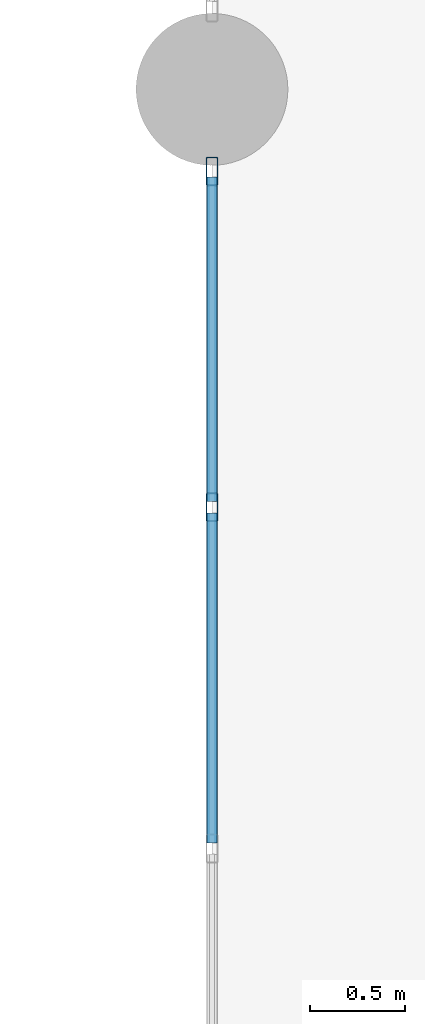
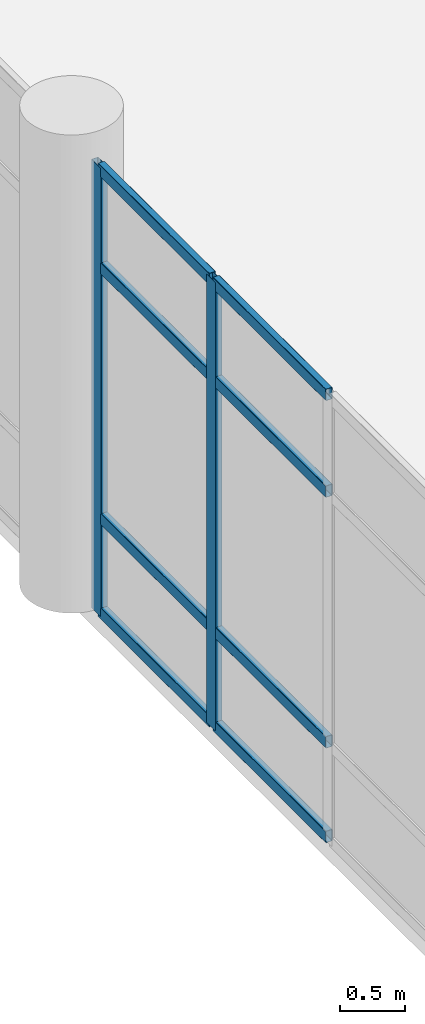
# One storey, part 11 of 42: 10 members, 1 element without a shape of its own.
"""IFC4 building model written with IfcOpenShell, lengths in metres."""

from ifc_helpers import new_model, si_unit, direction, frame, origin, origin_2d, place, context, subcontext, project, spatial, hollow_rectangle, extrude, material, material_profile, profile_set, type_object, element, aggregate, save


model = new_model("IFC4")

# Units and contexts
model_context = context("Model", 3, precision=1e-05, world=origin(), true_north=direction((0.0, 1.0)))
body_context = subcontext(model_context, "Body", "Model", "MODEL_VIEW")
ifc_project = project(units=[si_unit("LENGTHUNIT", "METRE"), si_unit("AREAUNIT", "SQUARE_METRE"), si_unit("VOLUMEUNIT", "CUBIC_METRE"), si_unit("PLANEANGLEUNIT", "RADIAN"), si_unit("MASSUNIT", "GRAM", prefix="KILO")], contexts=[model_context])

# Site, building, storey
site_placement = place(None, origin())
site = spatial("IfcSite", under=ifc_project, at=site_placement, CompositionType="ELEMENT")
building_placement = place(site_placement, origin())
building = spatial("IfcBuilding", under=site, at=building_placement, Name="Solmirada Galleria", CompositionType="ELEMENT")
storey_placement = place(building_placement, frame((0.0, 0.0, 28.39990234375)))
storey = spatial("IfcBuildingStorey", under=building, at=storey_placement, Name="L06", CompositionType="ELEMENT", Elevation=28.39990234375)

# Curtain wall, members
ifc_material_1 = material(Name="Impact-resistant low-E double glazing", Category="glass")
curtain_wall_type = type_object("IfcCurtainWallType", Name="CW-FZ3-L06-B4-L072", PredefinedType="NOTDEFINED", material=ifc_material_1)
curtain_wall_placement = place(storey_placement, origin())
curtain_wall = element("IfcCurtainWall", 1, at=curtain_wall_placement, inside=storey, type_object=curtain_wall_type, Name="Terrace and arcade storefront CW-L06-187", PredefinedType="NOTDEFINED")
ifc_material_2 = material(Name="Anodised aluminium framing", Category="aluminium")
ifc_material_profile_1 = material_profile(ifc_material_2, hollow_rectangle(XDim=0.06005859375, YDim=0.14990234375, WallThickness=0.00341796875, InnerFilletRadius=0.00341796875, OuterFilletRadius=0.007080078125, at=origin_2d()), Name="ALU-MULL-150X60")
ifc_profile_set_1 = profile_set([ifc_material_profile_1], Name="Anodised aluminium framing")
member_type_1 = type_object("IfcMemberType", Name="CW-MULL-150", PredefinedType="MULLION", material=ifc_profile_set_1)
member_1_placement = place(storey_placement, frame((80.0, 61.799072265625, 0.0), z_axis=(0.0, 0.0, 1.0), x_axis=(-1.0, 0.0, 0.0)))
member_1 = element("IfcMember", 2, at=member_1_placement, type_object=member_type_1, Name="CW38 mullion 4", PredefinedType="MULLION", context=body_context, shape_type="SweptSolid", body=[
    extrude(hollow_rectangle(XDim=0.06005859375, YDim=0.14990234375, WallThickness=0.00341796875, InnerFilletRadius=0.00341796875, OuterFilletRadius=0.007080078125, at=origin_2d()), origin(), (0.0, 0.0, 1.0), 4.22021484375),
])
member_2_placement = place(storey_placement, frame((80.0, 63.568115234375, 0.0), z_axis=(0.0, 0.0, 1.0), x_axis=(-1.0, 0.0, 0.0)))
member_2 = element("IfcMember", 3, at=member_2_placement, type_object=member_type_1, Name="CW38 mullion 5", PredefinedType="MULLION", context=body_context, shape_type="SweptSolid", body=[
    extrude(hollow_rectangle(XDim=0.06005859375, YDim=0.14990234375, WallThickness=0.00341796875, InnerFilletRadius=0.00341796875, OuterFilletRadius=0.007080078125, at=origin_2d()), origin(), (0.0, 0.0, 1.0), 4.22021484375),
])
ifc_material_profile_2 = material_profile(ifc_material_2, hollow_rectangle(XDim=0.06005859375, YDim=0.110107421875, WallThickness=0.003173828125, InnerFilletRadius=0.003173828125, OuterFilletRadius=0.00634765625, at=origin_2d()), Name="ALU-TRAN-110X60")
ifc_profile_set_2 = profile_set([ifc_material_profile_2], Name="Anodised aluminium framing")
member_type_2 = type_object("IfcMemberType", Name="CW-TRAN-110", PredefinedType="USERDEFINED", material=ifc_profile_set_2)
member_3_placement = place(storey_placement, frame((80.0, 60.030029296875, 0.030029296875), z_axis=(0.0, 1.0, 0.0), x_axis=(-1.0, 0.0, 0.0)))
member_3 = element("IfcMember", 4, at=member_3_placement, type_object=member_type_2, Name="CW38 transom 3.1", ObjectType="TRANSOM", PredefinedType="USERDEFINED", context=body_context, shape_type="SweptSolid", body=[
    extrude(hollow_rectangle(XDim=0.06005859375, YDim=0.110107421875, WallThickness=0.003173828125, InnerFilletRadius=0.003173828125, OuterFilletRadius=0.00634765625, at=origin_2d()), origin(), (0.0, 0.0, 1.0), 1.739013671875),
])
member_4_placement = place(storey_placement, frame((80.0, 60.030029296875, 0.920166015625), z_axis=(0.0, 1.0, 0.0), x_axis=(-1.0, 0.0, 0.0)))
member_4 = element("IfcMember", 5, at=member_4_placement, type_object=member_type_2, Name="CW38 transom 3.2", ObjectType="TRANSOM", PredefinedType="USERDEFINED", context=body_context, shape_type="SweptSolid", body=[
    extrude(hollow_rectangle(XDim=0.06005859375, YDim=0.110107421875, WallThickness=0.003173828125, InnerFilletRadius=0.003173828125, OuterFilletRadius=0.00634765625, at=origin_2d()), origin(), (0.0, 0.0, 1.0), 1.739013671875),
])
member_5_placement = place(storey_placement, frame((80.0, 60.030029296875, 3.280029296875), z_axis=(0.0, 1.0, 0.0), x_axis=(-1.0, 0.0, 0.0)))
member_5 = element("IfcMember", 6, at=member_5_placement, type_object=member_type_2, Name="CW38 transom 3.3", ObjectType="TRANSOM", PredefinedType="USERDEFINED", context=body_context, shape_type="SweptSolid", body=[
    extrude(hollow_rectangle(XDim=0.06005859375, YDim=0.110107421875, WallThickness=0.003173828125, InnerFilletRadius=0.003173828125, OuterFilletRadius=0.00634765625, at=origin_2d()), origin(), (0.0, 0.0, 1.0), 1.739013671875),
])
member_6_placement = place(storey_placement, frame((80.0, 60.030029296875, 4.190185546875), z_axis=(0.0, 1.0, 0.0), x_axis=(-1.0, 0.0, 0.0)))
member_6 = element("IfcMember", 7, at=member_6_placement, type_object=member_type_2, Name="CW38 transom 3.4", ObjectType="TRANSOM", PredefinedType="USERDEFINED", context=body_context, shape_type="SweptSolid", body=[
    extrude(hollow_rectangle(XDim=0.06005859375, YDim=0.110107421875, WallThickness=0.003173828125, InnerFilletRadius=0.003173828125, OuterFilletRadius=0.00634765625, at=origin_2d()), origin(), (0.0, 0.0, 1.0), 1.739013671875),
])
member_7_placement = place(storey_placement, frame((80.0, 61.8291015625, 0.030029296875), z_axis=(0.0, 1.0, 0.0), x_axis=(-1.0, 0.0, 0.0)))
member_7 = element("IfcMember", 8, at=member_7_placement, type_object=member_type_2, Name="CW38 transom 4.1", ObjectType="TRANSOM", PredefinedType="USERDEFINED", context=body_context, shape_type="SweptSolid", body=[
    extrude(hollow_rectangle(XDim=0.06005859375, YDim=0.110107421875, WallThickness=0.003173828125, InnerFilletRadius=0.003173828125, OuterFilletRadius=0.00634765625, at=origin_2d()), origin(), (0.0, 0.0, 1.0), 1.708984375),
])
member_8_placement = place(storey_placement, frame((80.0, 61.8291015625, 0.920166015625), z_axis=(0.0, 1.0, 0.0), x_axis=(-1.0, 0.0, 0.0)))
member_8 = element("IfcMember", 9, at=member_8_placement, type_object=member_type_2, Name="CW38 transom 4.2", ObjectType="TRANSOM", PredefinedType="USERDEFINED", context=body_context, shape_type="SweptSolid", body=[
    extrude(hollow_rectangle(XDim=0.06005859375, YDim=0.110107421875, WallThickness=0.003173828125, InnerFilletRadius=0.003173828125, OuterFilletRadius=0.00634765625, at=origin_2d()), origin(), (0.0, 0.0, 1.0), 1.708984375),
])
member_9_placement = place(storey_placement, frame((80.0, 61.8291015625, 3.280029296875), z_axis=(0.0, 1.0, 0.0), x_axis=(-1.0, 0.0, 0.0)))
member_9 = element("IfcMember", 10, at=member_9_placement, type_object=member_type_2, Name="CW38 transom 4.3", ObjectType="TRANSOM", PredefinedType="USERDEFINED", context=body_context, shape_type="SweptSolid", body=[
    extrude(hollow_rectangle(XDim=0.06005859375, YDim=0.110107421875, WallThickness=0.003173828125, InnerFilletRadius=0.003173828125, OuterFilletRadius=0.00634765625, at=origin_2d()), origin(), (0.0, 0.0, 1.0), 1.708984375),
])
member_10_placement = place(storey_placement, frame((80.0, 61.8291015625, 4.190185546875), z_axis=(0.0, 1.0, 0.0), x_axis=(-1.0, 0.0, 0.0)))
member_10 = element("IfcMember", 11, at=member_10_placement, type_object=member_type_2, Name="CW38 transom 4.4", ObjectType="TRANSOM", PredefinedType="USERDEFINED", context=body_context, shape_type="SweptSolid", body=[
    extrude(hollow_rectangle(XDim=0.06005859375, YDim=0.110107421875, WallThickness=0.003173828125, InnerFilletRadius=0.003173828125, OuterFilletRadius=0.00634765625, at=origin_2d()), origin(), (0.0, 0.0, 1.0), 1.708984375),
])
aggregate(curtain_wall, [member_1, member_2, member_3, member_4, member_5, member_6, member_7, member_8, member_9, member_10])

save(model, "model.ifc")
